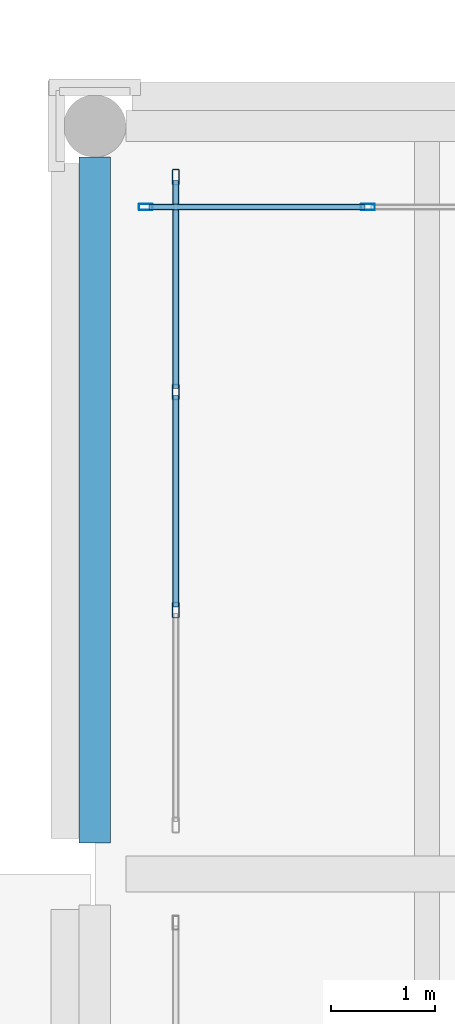
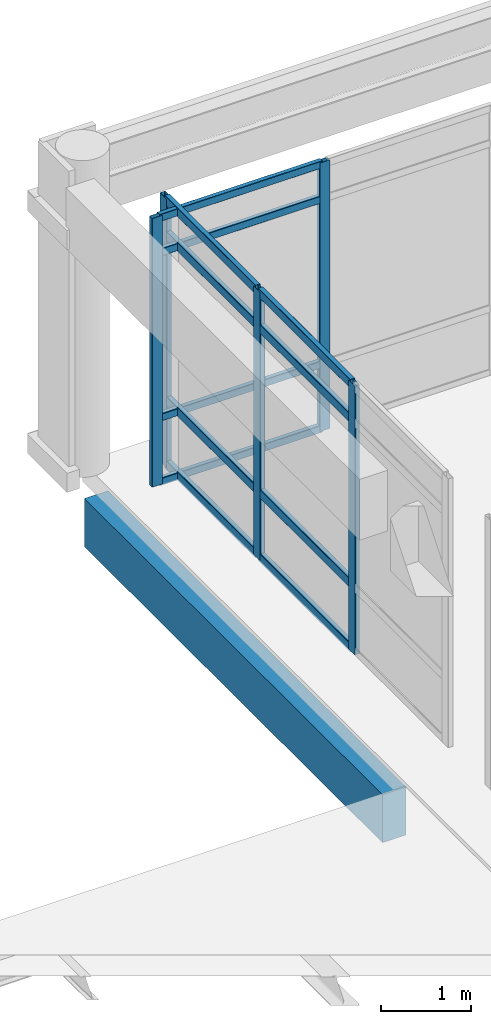
# One storey, part 65 of 180: 17 members, 1 beam, 2 elements without a shape of their own.
"""IFC4 building model written with IfcOpenShell, lengths in metres."""

from ifc_helpers import new_model, si_unit, direction, frame, origin, origin_2d, place, context, subcontext, project, spatial, rectangle, hollow_rectangle, extrude, material, layer, layer_set, material_profile, profile_set, type_object, element, aggregate, save


model = new_model("IFC4")

# Units and contexts
model_context = context("Model", 3, precision=1e-05, world=origin(), true_north=direction((0.0, 1.0)))
body_context = subcontext(model_context, "Body", "Model", "MODEL_VIEW")
ifc_project = project(units=[si_unit("LENGTHUNIT", "METRE"), si_unit("AREAUNIT", "SQUARE_METRE"), si_unit("VOLUMEUNIT", "CUBIC_METRE"), si_unit("PLANEANGLEUNIT", "RADIAN"), si_unit("MASSUNIT", "GRAM", prefix="KILO")], contexts=[model_context])

# Site, building, storey
site_placement = place(None, origin())
site = spatial("IfcSite", under=ifc_project, at=site_placement, CompositionType="ELEMENT")
building_placement = place(site_placement, origin())
building = spatial("IfcBuilding", under=site, at=building_placement, Name="Asteropetra Specialist Clinic", CompositionType="ELEMENT")
storey_placement = place(building_placement, frame((0.0, 0.0, 4.419921875)))
storey = spatial("IfcBuildingStorey", under=building, at=storey_placement, Name="L01", CompositionType="ELEMENT", Elevation=4.419921875)

# Curtain wall, members
ifc_material_1 = material(Name="Aluminium and low-E glass", Category="aluminium")
ifc_layer_1 = layer(ifc_material_1, 0.135009765625)
ifc_layer_set_1 = layer_set([ifc_layer_1], Name="Aluminium and low-E glass")
curtain_wall_type_1 = type_object("IfcCurtainWallType", Name="CW-SYS-09", PredefinedType="USERDEFINED", material=ifc_layer_set_1)
curtain_wall_1_placement = place(storey_placement, origin())
curtain_wall_1 = element("IfcCurtainWall", 1, at=curtain_wall_1_placement, inside=storey, type_object=curtain_wall_type_1, Name="Curtain Wall CW-173", ObjectType="STICK GLAZED COLONNADE", PredefinedType="USERDEFINED")
ifc_material_2 = material(Name="Aluminium 6063-T6", Category="aluminium")
ifc_material_profile_1 = material_profile(ifc_material_2, hollow_rectangle(XDim=0.06005859375, YDim=0.135009765625, WallThickness=0.00341796875, InnerFilletRadius=0.00341796875, OuterFilletRadius=0.007080078125, at=origin_2d()), Name="MUL 135x60x3.5")
ifc_profile_set_1 = profile_set([ifc_material_profile_1], Name="Aluminium 6063-T6")
member_type_1 = type_object("IfcMemberType", Name="CWM-135x60", PredefinedType="MULLION", material=ifc_profile_set_1)
member_1_placement = place(storey_placement, frame((79.429931640625, 61.6201171875, 0.0), z_axis=(0.0, 0.0, 1.0), x_axis=(0.0, -1.0, 0.0)))
member_1 = element("IfcMember", 2, at=member_1_placement, type_object=member_type_1, Name="CW-173 mullion 4", PredefinedType="MULLION", context=body_context, shape_type="SweptSolid", body=[
    extrude(hollow_rectangle(XDim=0.06005859375, YDim=0.135009765625, WallThickness=0.00341796875, InnerFilletRadius=0.00341796875, OuterFilletRadius=0.007080078125, at=origin_2d()), origin(), (0.0, 0.0, 1.0), 3.630126953125),
])
member_2_placement = place(storey_placement, frame((77.2900390625, 61.6201171875, 0.0), z_axis=(0.0, 0.0, 1.0), x_axis=(0.0, -1.0, 0.0)))
member_2 = element("IfcMember", 3, at=member_2_placement, type_object=member_type_1, Name="CW-173 mullion 5", PredefinedType="MULLION", context=body_context, shape_type="SweptSolid", body=[
    extrude(hollow_rectangle(XDim=0.06005859375, YDim=0.135009765625, WallThickness=0.00341796875, InnerFilletRadius=0.00341796875, OuterFilletRadius=0.007080078125, at=origin_2d()), origin(), (0.0, 0.0, 1.0), 3.630126953125),
])

ifc_material_3 = material(Name="Aluminium and low-E glass", Category="aluminium")
ifc_layer_2 = layer(ifc_material_3, 0.179931640625)
ifc_layer_set_2 = layer_set([ifc_layer_2], Name="Aluminium and low-E glass")
curtain_wall_type_2 = type_object("IfcCurtainWallType", Name="CW-SYS-01", PredefinedType="USERDEFINED", material=ifc_layer_set_2)
curtain_wall_2_placement = place(storey_placement, origin())
curtain_wall_2 = element("IfcCurtainWall", 4, at=curtain_wall_2_placement, inside=storey, type_object=curtain_wall_type_2, Name="Curtain Wall CW-181", ObjectType="UNITISED CURTAIN WALL", PredefinedType="USERDEFINED")
ifc_material_4 = material(Name="Aluminium 6063-T6", Category="aluminium")
ifc_material_profile_2 = material_profile(ifc_material_4, hollow_rectangle(XDim=0.06494140625, YDim=0.14990234375, WallThickness=0.00390625, InnerFilletRadius=0.00390625, OuterFilletRadius=0.008056640625, at=origin_2d()), Name="MUL 150x65x4.0")
ifc_profile_set_2 = profile_set([ifc_material_profile_2], Name="Aluminium 6063-T6")
member_type_2 = type_object("IfcMemberType", Name="CWM-150x65", PredefinedType="MULLION", material=ifc_profile_set_2)
member_3_placement = place(storey_placement, frame((77.580078125, 61.907470703125, 0.0), z_axis=(0.0, 0.0, 1.0), x_axis=(1.0, 0.0, 0.0)))
member_3 = element("IfcMember", 5, at=member_3_placement, type_object=member_type_2, Name="CW-181 mullion 1", PredefinedType="MULLION", context=body_context, shape_type="SweptSolid", body=[
    extrude(hollow_rectangle(XDim=0.06494140625, YDim=0.14990234375, WallThickness=0.00390625, InnerFilletRadius=0.00390625, OuterFilletRadius=0.008056640625, at=origin_2d()), origin(), (0.0, 0.0, 1.0), 3.630126953125),
])
member_4_placement = place(storey_placement, frame((77.580078125, 59.840087890625, 0.0), z_axis=(0.0, 0.0, 1.0), x_axis=(1.0, 0.0, 0.0)))
member_4 = element("IfcMember", 6, at=member_4_placement, type_object=member_type_2, Name="CW-181 mullion 2", PredefinedType="MULLION", context=body_context, shape_type="SweptSolid", body=[
    extrude(hollow_rectangle(XDim=0.06494140625, YDim=0.14990234375, WallThickness=0.00390625, InnerFilletRadius=0.00390625, OuterFilletRadius=0.008056640625, at=origin_2d()), origin(), (0.0, 0.0, 1.0), 3.630126953125),
])
member_5_placement = place(storey_placement, frame((77.580078125, 57.739990234375, 0.0), z_axis=(0.0, 0.0, 1.0), x_axis=(1.0, 0.0, 0.0)))
member_5 = element("IfcMember", 7, at=member_5_placement, type_object=member_type_2, Name="CW-181 mullion 3", PredefinedType="MULLION", context=body_context, shape_type="SweptSolid", body=[
    extrude(hollow_rectangle(XDim=0.06494140625, YDim=0.14990234375, WallThickness=0.00390625, InnerFilletRadius=0.00390625, OuterFilletRadius=0.008056640625, at=origin_2d()), origin(), (0.0, 0.0, 1.0), 3.630126953125),
])

# Member
ifc_material_5 = material(Name="Aluminium 6063-T6", Category="aluminium")
ifc_material_profile_3 = material_profile(ifc_material_5, hollow_rectangle(XDim=0.06005859375, YDim=0.10009765625, WallThickness=0.00341796875, InnerFilletRadius=0.00341796875, OuterFilletRadius=0.007080078125, at=origin_2d()), Name="TRN 100x60x3.5")
ifc_profile_set_3 = profile_set([ifc_material_profile_3], Name="Aluminium 6063-T6")
member_type_3 = type_object("IfcMemberType", Name="CWT-100x60", PredefinedType="USERDEFINED", material=ifc_profile_set_3)
member_6_placement = place(storey_placement, frame((79.39990234375, 61.6201171875, 0.030029296875), z_axis=(-1.0, 0.0, 0.0), x_axis=(0.0, -1.0, 0.0)))
member_6 = element("IfcMember", 8, at=member_6_placement, type_object=member_type_3, Name="CW-173 transom 4.1", ObjectType="TRANSOM", PredefinedType="USERDEFINED", context=body_context, shape_type="SweptSolid", body=[
    extrude(hollow_rectangle(XDim=0.06005859375, YDim=0.10009765625, WallThickness=0.00341796875, InnerFilletRadius=0.00341796875, OuterFilletRadius=0.007080078125, at=origin_2d()), origin(), (0.0, 0.0, 1.0), 2.079833984375),
])

member_7_placement = place(storey_placement, frame((79.39990234375, 61.6201171875, 0.900146484375), z_axis=(-1.0, 0.0, 0.0), x_axis=(0.0, -1.0, 0.0)))
member_7 = element("IfcMember", 9, at=member_7_placement, type_object=member_type_3, Name="CW-173 transom 4.2", ObjectType="TRANSOM", PredefinedType="USERDEFINED", context=body_context, shape_type="SweptSolid", body=[
    extrude(hollow_rectangle(XDim=0.06005859375, YDim=0.10009765625, WallThickness=0.00341796875, InnerFilletRadius=0.00341796875, OuterFilletRadius=0.007080078125, at=origin_2d()), origin(), (0.0, 0.0, 1.0), 2.079833984375),
])

member_8_placement = place(storey_placement, frame((79.39990234375, 61.6201171875, 3.130126953125), z_axis=(-1.0, 0.0, 0.0), x_axis=(0.0, -1.0, 0.0)))
member_8 = element("IfcMember", 10, at=member_8_placement, type_object=member_type_3, Name="CW-173 transom 4.3", ObjectType="TRANSOM", PredefinedType="USERDEFINED", context=body_context, shape_type="SweptSolid", body=[
    extrude(hollow_rectangle(XDim=0.06005859375, YDim=0.10009765625, WallThickness=0.00341796875, InnerFilletRadius=0.00341796875, OuterFilletRadius=0.007080078125, at=origin_2d()), origin(), (0.0, 0.0, 1.0), 2.079833984375),
])

member_9_placement = place(storey_placement, frame((79.39990234375, 61.6201171875, 3.60009765625), z_axis=(-1.0, 0.0, 0.0), x_axis=(0.0, -1.0, 0.0)))
member_9 = element("IfcMember", 11, at=member_9_placement, type_object=member_type_3, Name="CW-173 transom 4.4", ObjectType="TRANSOM", PredefinedType="USERDEFINED", context=body_context, shape_type="SweptSolid", body=[
    extrude(hollow_rectangle(XDim=0.06005859375, YDim=0.10009765625, WallThickness=0.00341796875, InnerFilletRadius=0.00341796875, OuterFilletRadius=0.007080078125, at=origin_2d()), origin(), (0.0, 0.0, 1.0), 2.079833984375),
])

aggregate(curtain_wall_1, [member_1, member_2, member_6, member_7, member_8, member_9])

ifc_material_6 = material(Name="Aluminium 6063-T6", Category="aluminium")
ifc_material_profile_4 = material_profile(ifc_material_6, hollow_rectangle(XDim=0.06494140625, YDim=0.1201171875, WallThickness=0.00390625, InnerFilletRadius=0.00390625, OuterFilletRadius=0.008056640625, at=origin_2d()), Name="TRN 120x65x4.0")
ifc_profile_set_4 = profile_set([ifc_material_profile_4], Name="Aluminium 6063-T6")
member_type_4 = type_object("IfcMemberType", Name="CWT-120x65", PredefinedType="USERDEFINED", material=ifc_profile_set_4)
member_10_placement = place(storey_placement, frame((77.580078125, 61.875, 0.032470703125), z_axis=(0.0, -1.0, 0.0), x_axis=(1.0, 0.0, 0.0)))
member_10 = element("IfcMember", 12, at=member_10_placement, type_object=member_type_4, Name="CW-181 transom 1.1", ObjectType="TRANSOM", PredefinedType="USERDEFINED", context=body_context, shape_type="SweptSolid", body=[
    extrude(hollow_rectangle(XDim=0.06494140625, YDim=0.1201171875, WallThickness=0.00390625, InnerFilletRadius=0.00390625, OuterFilletRadius=0.008056640625, at=origin_2d()), origin(), (0.0, 0.0, 1.0), 2.00244140625),
])

member_11_placement = place(storey_placement, frame((77.580078125, 61.875, 0.900146484375), z_axis=(0.0, -1.0, 0.0), x_axis=(1.0, 0.0, 0.0)))
member_11 = element("IfcMember", 13, at=member_11_placement, type_object=member_type_4, Name="CW-181 transom 1.2", ObjectType="TRANSOM", PredefinedType="USERDEFINED", context=body_context, shape_type="SweptSolid", body=[
    extrude(hollow_rectangle(XDim=0.06494140625, YDim=0.1201171875, WallThickness=0.00390625, InnerFilletRadius=0.00390625, OuterFilletRadius=0.008056640625, at=origin_2d()), origin(), (0.0, 0.0, 1.0), 2.00244140625),
])

member_12_placement = place(storey_placement, frame((77.580078125, 61.875, 3.130126953125), z_axis=(0.0, -1.0, 0.0), x_axis=(1.0, 0.0, 0.0)))
member_12 = element("IfcMember", 14, at=member_12_placement, type_object=member_type_4, Name="CW-181 transom 1.3", ObjectType="TRANSOM", PredefinedType="USERDEFINED", context=body_context, shape_type="SweptSolid", body=[
    extrude(hollow_rectangle(XDim=0.06494140625, YDim=0.1201171875, WallThickness=0.00390625, InnerFilletRadius=0.00390625, OuterFilletRadius=0.008056640625, at=origin_2d()), origin(), (0.0, 0.0, 1.0), 2.00244140625),
])

member_13_placement = place(storey_placement, frame((77.580078125, 61.875, 3.59765625), z_axis=(0.0, -1.0, 0.0), x_axis=(1.0, 0.0, 0.0)))
member_13 = element("IfcMember", 15, at=member_13_placement, type_object=member_type_4, Name="CW-181 transom 1.4", ObjectType="TRANSOM", PredefinedType="USERDEFINED", context=body_context, shape_type="SweptSolid", body=[
    extrude(hollow_rectangle(XDim=0.06494140625, YDim=0.1201171875, WallThickness=0.00390625, InnerFilletRadius=0.00390625, OuterFilletRadius=0.008056640625, at=origin_2d()), origin(), (0.0, 0.0, 1.0), 2.00244140625),
])

member_14_placement = place(storey_placement, frame((77.580078125, 59.8076171875, 0.032470703125), z_axis=(0.0, -1.0, 0.0), x_axis=(1.0, 0.0, 0.0)))
member_14 = element("IfcMember", 16, at=member_14_placement, type_object=member_type_4, Name="CW-181 transom 2.1", ObjectType="TRANSOM", PredefinedType="USERDEFINED", context=body_context, shape_type="SweptSolid", body=[
    extrude(hollow_rectangle(XDim=0.06494140625, YDim=0.1201171875, WallThickness=0.00390625, InnerFilletRadius=0.00390625, OuterFilletRadius=0.008056640625, at=origin_2d()), origin(), (0.0, 0.0, 1.0), 2.03515625),
])

member_15_placement = place(storey_placement, frame((77.580078125, 59.8076171875, 0.900146484375), z_axis=(0.0, -1.0, 0.0), x_axis=(1.0, 0.0, 0.0)))
member_15 = element("IfcMember", 17, at=member_15_placement, type_object=member_type_4, Name="CW-181 transom 2.2", ObjectType="TRANSOM", PredefinedType="USERDEFINED", context=body_context, shape_type="SweptSolid", body=[
    extrude(hollow_rectangle(XDim=0.06494140625, YDim=0.1201171875, WallThickness=0.00390625, InnerFilletRadius=0.00390625, OuterFilletRadius=0.008056640625, at=origin_2d()), origin(), (0.0, 0.0, 1.0), 2.03515625),
])

member_16_placement = place(storey_placement, frame((77.580078125, 59.8076171875, 3.130126953125), z_axis=(0.0, -1.0, 0.0), x_axis=(1.0, 0.0, 0.0)))
member_16 = element("IfcMember", 18, at=member_16_placement, type_object=member_type_4, Name="CW-181 transom 2.3", ObjectType="TRANSOM", PredefinedType="USERDEFINED", context=body_context, shape_type="SweptSolid", body=[
    extrude(hollow_rectangle(XDim=0.06494140625, YDim=0.1201171875, WallThickness=0.00390625, InnerFilletRadius=0.00390625, OuterFilletRadius=0.008056640625, at=origin_2d()), origin(), (0.0, 0.0, 1.0), 2.03515625),
])

member_17_placement = place(storey_placement, frame((77.580078125, 59.8076171875, 3.59765625), z_axis=(0.0, -1.0, 0.0), x_axis=(1.0, 0.0, 0.0)))
member_17 = element("IfcMember", 19, at=member_17_placement, type_object=member_type_4, Name="CW-181 transom 2.4", ObjectType="TRANSOM", PredefinedType="USERDEFINED", context=body_context, shape_type="SweptSolid", body=[
    extrude(hollow_rectangle(XDim=0.06494140625, YDim=0.1201171875, WallThickness=0.00390625, InnerFilletRadius=0.00390625, OuterFilletRadius=0.008056640625, at=origin_2d()), origin(), (0.0, 0.0, 1.0), 2.03515625),
])

aggregate(curtain_wall_2, [member_3, member_4, member_5, member_10, member_11, member_12, member_13, member_14, member_15, member_16, member_17])

# Beam
ifc_material_7 = material(Name="Concrete C35/45", Category="concrete")
ifc_material_profile_5 = material_profile(ifc_material_7, rectangle(XDim=0.300048828125, YDim=0.64990234375, at=origin_2d()), Name="RCS 300x650")
ifc_profile_set_5 = profile_set([ifc_material_profile_5], Name="Concrete C35/45")
beam_type = type_object("IfcBeamType", Name="SPN-RC300x650", PredefinedType="SPANDREL", material=ifc_profile_set_5)
beam_placement = place(storey_placement, frame((76.800048828125, 55.5, -0.5849609375), z_axis=(0.0, 1.0, 0.0), x_axis=(-1.0, 0.0, 0.0)))
element("IfcBeam", 20, at=beam_placement, inside=storey, type_object=beam_type, Name="Beam BSPN03-0793", PredefinedType="SPANDREL", context=body_context, shape_type="SweptSolid", body=[
    extrude(rectangle(XDim=0.300048828125, YDim=0.64990234375, at=origin_2d()), origin(), (0.0, 0.0, 1.0), 6.60009765625),
])

save(model, "model.ifc")
